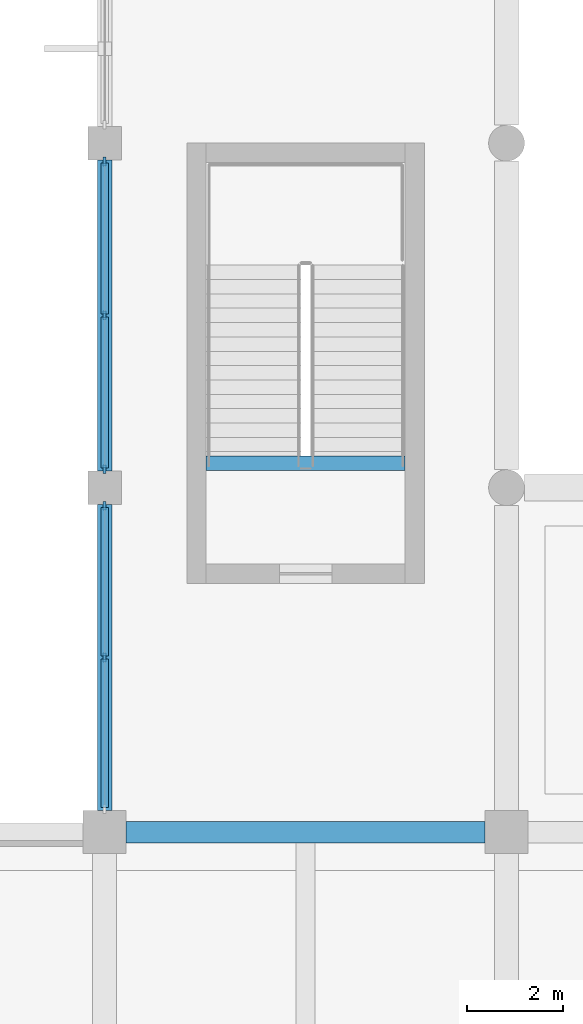
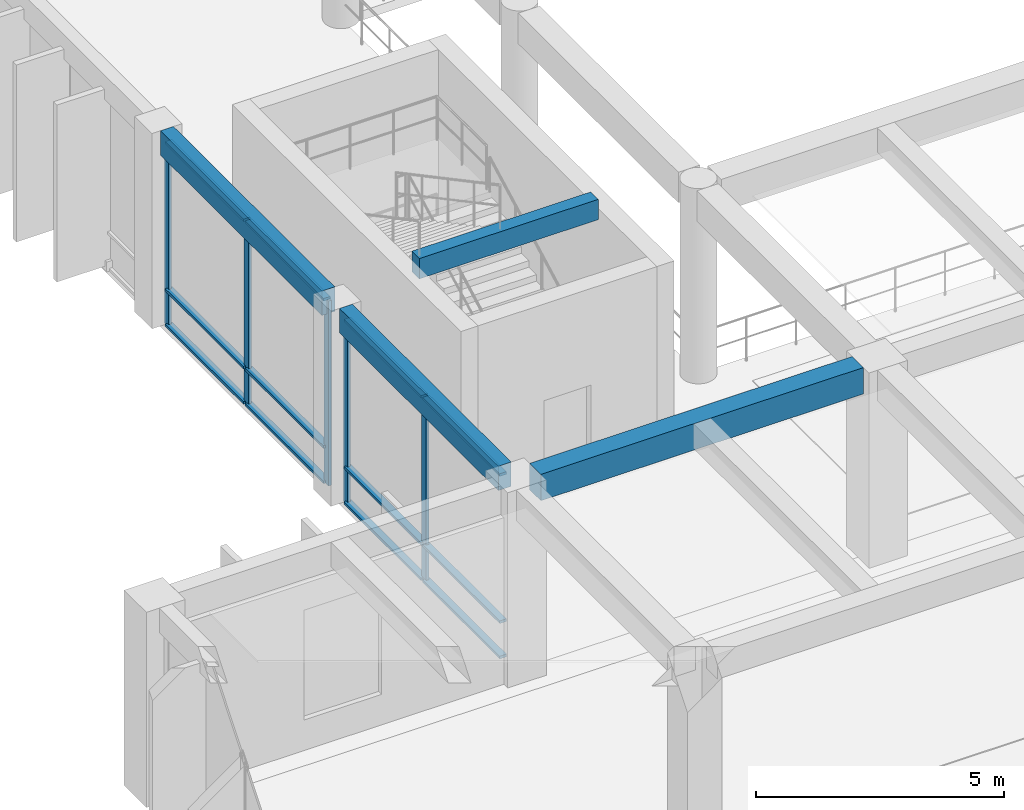
# One storey, part 10 of 51: 17 members, 4 beams, 2 elements without a shape of their own.
"""IFC4 building model written with IfcOpenShell, lengths in metres."""

from ifc_helpers import new_model, si_unit, direction, frame, origin, origin_2d, place, context, subcontext, project, spatial, rectangle, extrude, material, material_profile, profile_set, type_object, element, aggregate, save


model = new_model("IFC4")

# Units and contexts
model_context = context("Model", 3, precision=1e-05, world=origin(), true_north=direction((0.0, 1.0)))
body_context = subcontext(model_context, "Body", "Model", "MODEL_VIEW")
ifc_project = project(units=[si_unit("LENGTHUNIT", "METRE"), si_unit("AREAUNIT", "SQUARE_METRE"), si_unit("VOLUMEUNIT", "CUBIC_METRE"), si_unit("PLANEANGLEUNIT", "RADIAN"), si_unit("MASSUNIT", "GRAM", prefix="KILO")], contexts=[model_context])

# Site, building, storey
site_placement = place(None, origin())
site = spatial("IfcSite", under=ifc_project, at=site_placement, CompositionType="ELEMENT")
building_placement = place(site_placement, origin())
building = spatial("IfcBuilding", under=site, at=building_placement, Name="Kenerak Square Central Library", CompositionType="ELEMENT")
storey_placement = place(building_placement, frame((0.0, 0.0, 9.60009765625)))
storey = spatial("IfcBuildingStorey", under=building, at=storey_placement, Name="L02", CompositionType="ELEMENT", Elevation=9.60009765625)

# Beams
ifc_material_1 = material(Name="Concrete C40/50", Category="concrete")
ifc_material_profile_1 = material_profile(ifc_material_1, rectangle(XDim=0.300048828125, YDim=0.60009765625, at=origin_2d()), Name="RC 300x600")
ifc_profile_set_1 = profile_set([ifc_material_profile_1], Name="Concrete C40/50")
beam_type_1 = type_object("IfcBeamType", Name="Courtyard Spandrel Beam SP-02 RC 300x600 C40/50", PredefinedType="SPANDREL", material=ifc_profile_set_1)
beam_1_placement = place(storey_placement, frame((66.800048828125, 53.25, 4.5), z_axis=(0.0, 1.0, 0.0), x_axis=(-1.0, 0.0, 0.0)))
element("IfcBeam", 1, at=beam_1_placement, inside=storey, type_object=beam_type_1, Name="Beam SP-02 L02 1288", PredefinedType="SPANDREL", context=body_context, shape_type="SweptSolid", body=[
    extrude(rectangle(XDim=0.300048828125, YDim=0.60009765625, at=origin_2d()), origin(), (0.0, 0.0, 1.0), 6.39990234375),
])
beam_2_placement = place(storey_placement, frame((66.800048828125, 60.35009765625, 4.5), z_axis=(0.0, 1.0, 0.0), x_axis=(-1.0, 0.0, 0.0)))
element("IfcBeam", 2, at=beam_2_placement, inside=storey, type_object=beam_type_1, Name="Beam SP-02 L02 1289", PredefinedType="SPANDREL", context=body_context, shape_type="SweptSolid", body=[
    extrude(rectangle(XDim=0.300048828125, YDim=0.60009765625, at=origin_2d()), origin(), (0.0, 0.0, 1.0), 6.5),
])

# Curtain wall, members
ifc_material_2 = material(Name="Anodised aluminium and solar-control low-E glazing", Category="aluminium")
curtain_wall_type_1 = type_object("IfcCurtainWallType", Name="Curtain Wall CW-V4-64x45 6400x4550", PredefinedType="USERDEFINED", material=ifc_material_2)
curtain_wall_1_placement = place(storey_placement, origin())
curtain_wall_1 = element("IfcCurtainWall", 3, at=curtain_wall_1_placement, inside=storey, type_object=curtain_wall_type_1, Name="Curtain Wall CW-V4-64x45 L02 0077", ObjectType="CURTAIN WALL", PredefinedType="USERDEFINED")
ifc_material_3 = material(Name="Anodised aluminium 6063-T6", Category="aluminium")
ifc_material_profile_2 = material_profile(ifc_material_3, rectangle(XDim=0.06494140625, YDim=0.179931640625, at=origin_2d()), Name="AL MULLION 65x180")
ifc_profile_set_2 = profile_set([ifc_material_profile_2], Name="Anodised aluminium 6063-T6")
member_type_1 = type_object("IfcMemberType", Name="Curtain Mullion CM-01 65x180", PredefinedType="MULLION", material=ifc_profile_set_2)
member_1_placement = place(storey_placement, frame((66.800048828125, 56.449951171875, 0.0), z_axis=(0.0, 0.0, 1.0), x_axis=(-1.0, 0.0, 0.0)))
member_1 = element("IfcMember", 4, at=member_1_placement, type_object=member_type_1, Name="CW-V4-64x45 Mullion 2", PredefinedType="MULLION", context=body_context, shape_type="SweptSolid", body=[
    extrude(rectangle(XDim=0.06494140625, YDim=0.179931640625, at=origin_2d()), origin(), (0.0, 0.0, 1.0), 4.5498046875),
])
member_2_placement = place(storey_placement, frame((66.800048828125, 59.617431640625, 0.0), z_axis=(0.0, 0.0, 1.0), x_axis=(-1.0, 0.0, 0.0)))
member_2 = element("IfcMember", 5, at=member_2_placement, type_object=member_type_1, Name="CW-V4-64x45 Mullion 3", PredefinedType="MULLION", context=body_context, shape_type="SweptSolid", body=[
    extrude(rectangle(XDim=0.06494140625, YDim=0.179931640625, at=origin_2d()), origin(), (0.0, 0.0, 1.0), 4.5498046875),
])

curtain_wall_type_2 = type_object("IfcCurtainWallType", Name="Curtain Wall CW-V4-65x45 6500x4550", PredefinedType="USERDEFINED", material=ifc_material_2)
curtain_wall_2_placement = place(storey_placement, origin())
curtain_wall_2 = element("IfcCurtainWall", 6, at=curtain_wall_2_placement, inside=storey, type_object=curtain_wall_type_2, Name="Curtain Wall CW-V4-65x45 L02 0078", ObjectType="CURTAIN WALL", PredefinedType="USERDEFINED")
member_3_placement = place(storey_placement, frame((66.800048828125, 60.382568359375, 0.0), z_axis=(0.0, 0.0, 1.0), x_axis=(-1.0, 0.0, 0.0)))
member_3 = element("IfcMember", 7, at=member_3_placement, type_object=member_type_1, Name="CW-V4-65x45 Mullion 1", PredefinedType="MULLION", context=body_context, shape_type="SweptSolid", body=[
    extrude(rectangle(XDim=0.06494140625, YDim=0.179931640625, at=origin_2d()), origin(), (0.0, 0.0, 1.0), 4.5498046875),
])
member_4_placement = place(storey_placement, frame((66.800048828125, 63.60009765625, 0.0), z_axis=(0.0, 0.0, 1.0), x_axis=(-1.0, 0.0, 0.0)))
member_4 = element("IfcMember", 8, at=member_4_placement, type_object=member_type_1, Name="CW-V4-65x45 Mullion 2", PredefinedType="MULLION", context=body_context, shape_type="SweptSolid", body=[
    extrude(rectangle(XDim=0.06494140625, YDim=0.179931640625, at=origin_2d()), origin(), (0.0, 0.0, 1.0), 4.5498046875),
])
member_5_placement = place(storey_placement, frame((66.800048828125, 66.8173828125, 0.0), z_axis=(0.0, 0.0, 1.0), x_axis=(-1.0, 0.0, 0.0)))
member_5 = element("IfcMember", 9, at=member_5_placement, type_object=member_type_1, Name="CW-V4-65x45 Mullion 3", PredefinedType="MULLION", context=body_context, shape_type="SweptSolid", body=[
    extrude(rectangle(XDim=0.06494140625, YDim=0.179931640625, at=origin_2d()), origin(), (0.0, 0.0, 1.0), 4.5498046875),
])

# Member
ifc_material_profile_3 = material_profile(ifc_material_3, rectangle(XDim=0.159912109375, YDim=0.06494140625, at=origin_2d()), Name="AL TRANSOM 160x65")
ifc_profile_set_3 = profile_set([ifc_material_profile_3], Name="Anodised aluminium 6063-T6")
member_type_2 = type_object("IfcMemberType", Name="Curtain Transom CT-11 160x65", PredefinedType="USERDEFINED", material=ifc_profile_set_3)
member_6_placement = place(storey_placement, frame((66.800048828125, 53.31494140625, 0.032470703125), z_axis=(0.0, 1.0, 0.0), x_axis=(-1.0, 0.0, 0.0)))
member_6 = element("IfcMember", 10, at=member_6_placement, type_object=member_type_2, Name="CW-V4-64x45 Transom 1.1", ObjectType="TRANSOM", PredefinedType="USERDEFINED", context=body_context, shape_type="SweptSolid", body=[
    extrude(rectangle(XDim=0.159912109375, YDim=0.06494140625, at=origin_2d()), origin(), (0.0, 0.0, 1.0), 3.1025390625),
])

member_7_placement = place(storey_placement, frame((66.800048828125, 53.31494140625, 0.89990234375), z_axis=(0.0, 1.0, 0.0), x_axis=(-1.0, 0.0, 0.0)))
member_7 = element("IfcMember", 11, at=member_7_placement, type_object=member_type_2, Name="CW-V4-64x45 Transom 1.2", ObjectType="TRANSOM", PredefinedType="USERDEFINED", context=body_context, shape_type="SweptSolid", body=[
    extrude(rectangle(XDim=0.159912109375, YDim=0.06494140625, at=origin_2d()), origin(), (0.0, 0.0, 1.0), 3.1025390625),
])

member_8_placement = place(storey_placement, frame((66.800048828125, 53.31494140625, 4.517333984375), z_axis=(0.0, 1.0, 0.0), x_axis=(-1.0, 0.0, 0.0)))
member_8 = element("IfcMember", 12, at=member_8_placement, type_object=member_type_2, Name="CW-V4-64x45 Transom 1.3", ObjectType="TRANSOM", PredefinedType="USERDEFINED", context=body_context, shape_type="SweptSolid", body=[
    extrude(rectangle(XDim=0.159912109375, YDim=0.06494140625, at=origin_2d()), origin(), (0.0, 0.0, 1.0), 3.1025390625),
])

member_9_placement = place(storey_placement, frame((66.800048828125, 56.482421875, 0.032470703125), z_axis=(0.0, 1.0, 0.0), x_axis=(-1.0, 0.0, 0.0)))
member_9 = element("IfcMember", 13, at=member_9_placement, type_object=member_type_2, Name="CW-V4-64x45 Transom 2.1", ObjectType="TRANSOM", PredefinedType="USERDEFINED", context=body_context, shape_type="SweptSolid", body=[
    extrude(rectangle(XDim=0.159912109375, YDim=0.06494140625, at=origin_2d()), origin(), (0.0, 0.0, 1.0), 3.1025390625),
])

member_10_placement = place(storey_placement, frame((66.800048828125, 56.482421875, 0.89990234375), z_axis=(0.0, 1.0, 0.0), x_axis=(-1.0, 0.0, 0.0)))
member_10 = element("IfcMember", 14, at=member_10_placement, type_object=member_type_2, Name="CW-V4-64x45 Transom 2.2", ObjectType="TRANSOM", PredefinedType="USERDEFINED", context=body_context, shape_type="SweptSolid", body=[
    extrude(rectangle(XDim=0.159912109375, YDim=0.06494140625, at=origin_2d()), origin(), (0.0, 0.0, 1.0), 3.1025390625),
])

member_11_placement = place(storey_placement, frame((66.800048828125, 56.482421875, 4.517333984375), z_axis=(0.0, 1.0, 0.0), x_axis=(-1.0, 0.0, 0.0)))
member_11 = element("IfcMember", 15, at=member_11_placement, type_object=member_type_2, Name="CW-V4-64x45 Transom 2.3", ObjectType="TRANSOM", PredefinedType="USERDEFINED", context=body_context, shape_type="SweptSolid", body=[
    extrude(rectangle(XDim=0.159912109375, YDim=0.06494140625, at=origin_2d()), origin(), (0.0, 0.0, 1.0), 3.1025390625),
])

aggregate(curtain_wall_1, [member_1, member_2, member_6, member_7, member_8, member_9, member_10, member_11])

member_12_placement = place(storey_placement, frame((66.800048828125, 60.4150390625, 0.032470703125), z_axis=(0.0, 1.0, 0.0), x_axis=(-1.0, 0.0, 0.0)))
member_12 = element("IfcMember", 16, at=member_12_placement, type_object=member_type_2, Name="CW-V4-65x45 Transom 1.1", ObjectType="TRANSOM", PredefinedType="USERDEFINED", context=body_context, shape_type="SweptSolid", body=[
    extrude(rectangle(XDim=0.159912109375, YDim=0.06494140625, at=origin_2d()), origin(), (0.0, 0.0, 1.0), 3.15234375),
])

member_13_placement = place(storey_placement, frame((66.800048828125, 60.4150390625, 0.89990234375), z_axis=(0.0, 1.0, 0.0), x_axis=(-1.0, 0.0, 0.0)))
member_13 = element("IfcMember", 17, at=member_13_placement, type_object=member_type_2, Name="CW-V4-65x45 Transom 1.2", ObjectType="TRANSOM", PredefinedType="USERDEFINED", context=body_context, shape_type="SweptSolid", body=[
    extrude(rectangle(XDim=0.159912109375, YDim=0.06494140625, at=origin_2d()), origin(), (0.0, 0.0, 1.0), 3.15234375),
])

member_14_placement = place(storey_placement, frame((66.800048828125, 60.4150390625, 4.517333984375), z_axis=(0.0, 1.0, 0.0), x_axis=(-1.0, 0.0, 0.0)))
member_14 = element("IfcMember", 18, at=member_14_placement, type_object=member_type_2, Name="CW-V4-65x45 Transom 1.3", ObjectType="TRANSOM", PredefinedType="USERDEFINED", context=body_context, shape_type="SweptSolid", body=[
    extrude(rectangle(XDim=0.159912109375, YDim=0.06494140625, at=origin_2d()), origin(), (0.0, 0.0, 1.0), 3.15234375),
])

member_15_placement = place(storey_placement, frame((66.800048828125, 63.632568359375, 0.032470703125), z_axis=(0.0, 1.0, 0.0), x_axis=(-1.0, 0.0, 0.0)))
member_15 = element("IfcMember", 19, at=member_15_placement, type_object=member_type_2, Name="CW-V4-65x45 Transom 2.1", ObjectType="TRANSOM", PredefinedType="USERDEFINED", context=body_context, shape_type="SweptSolid", body=[
    extrude(rectangle(XDim=0.159912109375, YDim=0.06494140625, at=origin_2d()), origin(), (0.0, 0.0, 1.0), 3.15234375),
])

member_16_placement = place(storey_placement, frame((66.800048828125, 63.632568359375, 0.89990234375), z_axis=(0.0, 1.0, 0.0), x_axis=(-1.0, 0.0, 0.0)))
member_16 = element("IfcMember", 20, at=member_16_placement, type_object=member_type_2, Name="CW-V4-65x45 Transom 2.2", ObjectType="TRANSOM", PredefinedType="USERDEFINED", context=body_context, shape_type="SweptSolid", body=[
    extrude(rectangle(XDim=0.159912109375, YDim=0.06494140625, at=origin_2d()), origin(), (0.0, 0.0, 1.0), 3.15234375),
])

member_17_placement = place(storey_placement, frame((66.800048828125, 63.632568359375, 4.517333984375), z_axis=(0.0, 1.0, 0.0), x_axis=(-1.0, 0.0, 0.0)))
member_17 = element("IfcMember", 21, at=member_17_placement, type_object=member_type_2, Name="CW-V4-65x45 Transom 2.3", ObjectType="TRANSOM", PredefinedType="USERDEFINED", context=body_context, shape_type="SweptSolid", body=[
    extrude(rectangle(XDim=0.159912109375, YDim=0.06494140625, at=origin_2d()), origin(), (0.0, 0.0, 1.0), 3.15234375),
])

aggregate(curtain_wall_2, [member_3, member_4, member_5, member_12, member_13, member_14, member_15, member_16, member_17])

# Beams
ifc_material_profile_4 = material_profile(ifc_material_1, rectangle(XDim=0.300048828125, YDim=0.5, at=origin_2d()), Name="RC 300x500")
ifc_profile_set_4 = profile_set([ifc_material_profile_4], Name="Concrete C40/50")
beam_type_2 = type_object("IfcBeamType", Name="Landing Support Beam B-08 RC 300x500 C40/50", PredefinedType="BEAM", material=ifc_profile_set_4)
beam_3_placement = place(storey_placement, frame((68.919921875, 60.510009765625, 4.5498046875), z_axis=(1.0, 0.0, 0.0), x_axis=(0.0, 1.0, 0.0)))
element("IfcBeam", 22, at=beam_3_placement, inside=storey, type_object=beam_type_2, Name="Stair Threshold Beam B-08 ST-08 L03", PredefinedType="BEAM", context=body_context, shape_type="SweptSolid", body=[
    extrude(rectangle(XDim=0.300048828125, YDim=0.5, at=origin_2d()), origin(), (0.0, 0.0, 1.0), 4.16015625),
])
ifc_material_profile_5 = material_profile(ifc_material_1, rectangle(XDim=0.449951171875, YDim=0.64990234375, at=origin_2d()), Name="RC 450x650")
ifc_profile_set_5 = profile_set([ifc_material_profile_5], Name="Concrete C40/50")
beam_type_3 = type_object("IfcBeamType", Name="Mezzanine Frame Beam B-06 RC 450x650 C40/50", PredefinedType="BEAM", material=ifc_profile_set_5)
beam_4_placement = place(storey_placement, frame((67.25, 52.800048828125, 4.474853515625), z_axis=(1.0, 0.0, 0.0), x_axis=(0.0, 1.0, 0.0)))
element("IfcBeam", 23, at=beam_4_placement, inside=storey, type_object=beam_type_3, Name="Beam B-06 L02 1219", PredefinedType="BEAM", context=body_context, shape_type="SweptSolid", body=[
    extrude(rectangle(XDim=0.449951171875, YDim=0.64990234375, at=origin_2d()), origin(), (0.0, 0.0, 1.0), 7.5),
])

save(model, "model.ifc")
